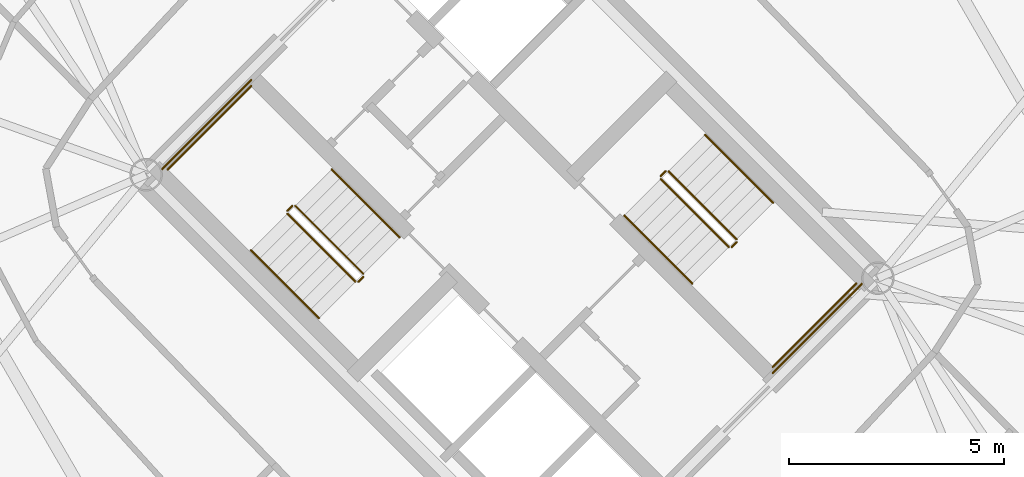
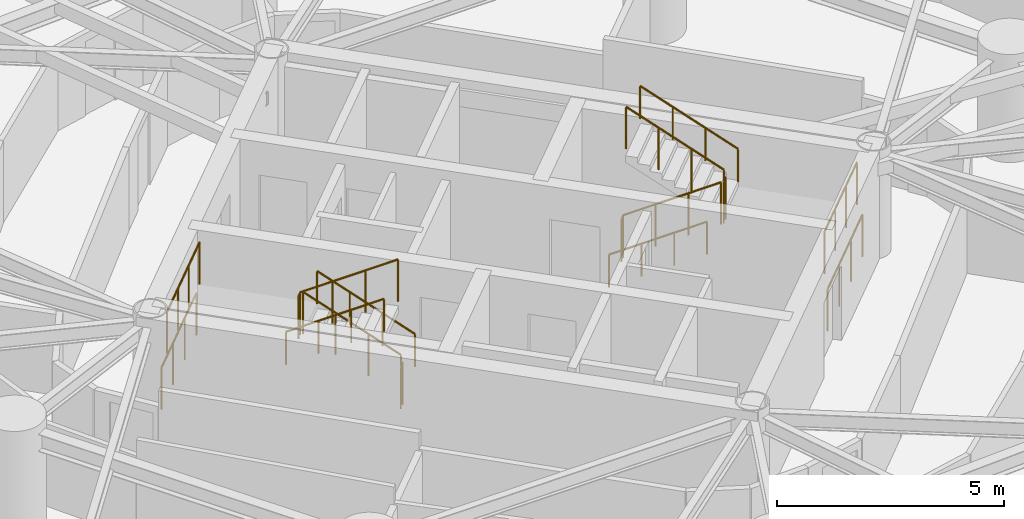
# One storey, part 17 of 18: 16 railings.
"""IFC4 building model written with IfcOpenShell, lengths in metres."""

from ifc_helpers import new_model, si_unit, direction, frame, origin, origin_2d, place, context, subcontext, project, spatial, circle, extrude, material, type_object, element, save


model = new_model("IFC4")

# Units and contexts
model_context = context("Model", 3, precision=1e-05, world=origin(), true_north=direction((0.0, 1.0)))
body_context = subcontext(model_context, "Body", "Model", "MODEL_VIEW")
ifc_project = project(units=[si_unit("LENGTHUNIT", "METRE"), si_unit("AREAUNIT", "SQUARE_METRE"), si_unit("VOLUMEUNIT", "CUBIC_METRE"), si_unit("PLANEANGLEUNIT", "RADIAN"), si_unit("MASSUNIT", "GRAM", prefix="KILO")], contexts=[model_context])

# Site, building, storey
site_placement = place(None, origin())
site = spatial("IfcSite", under=ifc_project, at=site_placement, CompositionType="ELEMENT")
building_placement = place(site_placement, origin())
building = spatial("IfcBuilding", under=site, at=building_placement, Name="Cununo Teusaquillo Station Towers", CompositionType="ELEMENT")
storey_placement = place(building_placement, frame((0.0, 0.0, 93.429931640625)))
storey = spatial("IfcBuildingStorey", under=building, at=storey_placement, Name="L29", CompositionType="ELEMENT", Elevation=93.429931640625)

# Railings
ifc_material_1 = material(Name="Steel EN 10025-2 S355J2", Category="steel")
railing_type_1 = type_object("IfcRailingType", Name="RL-INT-GUARD", PredefinedType="GUARDRAIL", material=ifc_material_1)
railing_1_placement = place(storey_placement, frame((54.03515625, 23.39697265625, 0.16162109375)))
element("IfcRailing", 1, at=railing_1_placement, inside=storey, type_object=railing_type_1, Name="L29 ST-T2-1 stair guard 1", PredefinedType="GUARDRAIL", context=body_context, shape_type="SweptSolid", body=[
    extrude(circle(Radius=0.02392578125, at=origin_2d()), frame((0.0, 0.0, 1.1259765625), z_axis=(-0.612332353853, 0.612332353853, 0.500098167213), x_axis=(-0.707106781187, -0.707106781187, 0.0)), (0.0, 0.0, 1.0), 2.58642578125),
    extrude(circle(Radius=0.02099609375, at=origin_2d()), origin(), (0.0, 0.0, 1.0), 1.101806640625),
    extrude(circle(Radius=0.02099609375, at=origin_2d()), frame((-0.52783203125, 0.52783203125, 0.43115234375)), (0.0, 0.0, 1.0), 1.101806640625),
    extrude(circle(Radius=0.02099609375, at=origin_2d()), frame((-1.055908203125, 1.055908203125, 0.8623046875)), (0.0, 0.0, 1.0), 1.101806640625),
    extrude(circle(Radius=0.02099609375, at=origin_2d()), frame((-1.583740234375, 1.583740234375, 1.29345703125)), (0.0, 0.0, 1.0), 1.101806640625),
])
railing_2_placement = place(storey_placement, frame((52.380615234375, 24.980712890625, 1.455078125)))
element("IfcRailing", 2, at=railing_2_placement, inside=storey, type_object=railing_type_1, Name="L29 ST-T2-1 stair guard 2", PredefinedType="GUARDRAIL", context=body_context, shape_type="SweptSolid", body=[
    extrude(circle(Radius=0.02392578125, at=origin_2d()), frame((0.0, 0.0, 1.1259765625), z_axis=(-0.7078691598, -0.706343579714, 0.0), x_axis=(0.706343579714, -0.7078691598, 0.0)), (0.0, 0.0, 1.0), 0.159912109375),
    extrude(circle(Radius=0.02099609375, at=origin_2d()), origin(), (0.0, 0.0, 1.0), 1.101806640625),
    extrude(circle(Radius=0.02099609375, at=origin_2d()), frame((-0.11328125, -0.113037109375, 0.0)), (0.0, 0.0, 1.0), 1.101806640625),
])
railing_3_placement = place(storey_placement, frame((51.426025390625, 27.77392578125, 1.455078125)))
element("IfcRailing", 3, at=railing_3_placement, inside=storey, type_object=railing_type_1, Name="L29 ST-T2-1 stair guard 3", PredefinedType="GUARDRAIL", context=body_context, shape_type="SweptSolid", body=[
    extrude(circle(Radius=0.02392578125, at=origin_2d()), frame((0.0, 0.0, 1.1259765625), z_axis=(-0.707106781187, -0.707106781187, 0.0), x_axis=(0.707106781187, -0.707106781187, 0.0)), (0.0, 0.0, 1.0), 2.760009765625),
    extrude(circle(Radius=0.02099609375, at=origin_2d()), origin(), (0.0, 0.0, 1.0), 1.101806640625),
    extrude(circle(Radius=0.02099609375, at=origin_2d()), frame((-0.650634765625, -0.650634765625, 0.0)), (0.0, 0.0, 1.0), 1.101806640625),
    extrude(circle(Radius=0.02099609375, at=origin_2d()), frame((-1.301025390625, -1.301025390625, 0.0)), (0.0, 0.0, 1.0), 1.101806640625),
    extrude(circle(Radius=0.02099609375, at=origin_2d()), frame((-1.95166015625, -1.95166015625, 0.0)), (0.0, 0.0, 1.0), 1.101806640625),
])
railing_4_placement = place(storey_placement, frame((52.267333984375, 24.796875, 1.61669921875)))
element("IfcRailing", 4, at=railing_4_placement, inside=storey, type_object=railing_type_1, Name="L29 ST-T2-1 stair guard 4", PredefinedType="GUARDRAIL", context=body_context, shape_type="SweptSolid", body=[
    extrude(circle(Radius=0.02392578125, at=origin_2d()), frame((0.0, 0.0, 1.1259765625), z_axis=(0.612391349474, -0.612296961165, 0.500069261639), x_axis=(0.707052281454, 0.707161276719, 0.0)), (0.0, 0.0, 1.0), 2.586669921875),
    extrude(circle(Radius=0.02099609375, at=origin_2d()), origin(), (0.0, 0.0, 1.0), 1.101806640625),
    extrude(circle(Radius=0.02099609375, at=origin_2d()), frame((0.528076171875, -0.52783203125, 0.43115234375)), (0.0, 0.0, 1.0), 1.101806640625),
    extrude(circle(Radius=0.02099609375, at=origin_2d()), frame((1.055908203125, -1.055908203125, 0.8623046875)), (0.0, 0.0, 1.0), 1.101806640625),
    extrude(circle(Radius=0.02099609375, at=origin_2d()), frame((1.583984375, -1.583740234375, 1.29345703125)), (0.0, 0.0, 1.0), 1.101806640625),
])
railing_5_placement = place(storey_placement, frame((54.03515625, 23.326171875, 0.0)))
element("IfcRailing", 5, at=railing_5_placement, inside=storey, type_object=railing_type_1, Name="L29 ST-T2-1 stair guard 5", PredefinedType="GUARDRAIL", context=body_context, shape_type="SweptSolid", body=[
    extrude(circle(Radius=0.02392578125, at=origin_2d()), frame((0.0, 0.0, 1.1259765625), z_axis=(-0.707106781187, -0.707106781187, 0.0), x_axis=(0.707106781187, -0.707106781187, 0.0)), (0.0, 0.0, 1.0), 0.159912109375),
    extrude(circle(Radius=0.02099609375, at=origin_2d()), origin(), (0.0, 0.0, 1.0), 1.101806640625),
    extrude(circle(Radius=0.02099609375, at=origin_2d()), frame((-0.113037109375, -0.113037109375, 0.0)), (0.0, 0.0, 1.0), 1.101806640625),
])
railing_6_placement = place(storey_placement, frame((51.426025390625, 27.915283203125, 0.0)))
element("IfcRailing", 6, at=railing_6_placement, inside=storey, type_object=railing_type_1, Name="L29 ST-T2-1 stair guard 6", PredefinedType="GUARDRAIL", context=body_context, shape_type="SweptSolid", body=[
    extrude(circle(Radius=0.02392578125, at=origin_2d()), frame((0.0, 0.0, 1.1259765625), z_axis=(-0.707106781187, -0.707106781187, 0.0), x_axis=(0.707106781187, -0.707106781187, 0.0)), (0.0, 0.0, 1.0), 2.9599609375),
    extrude(circle(Radius=0.02099609375, at=origin_2d()), origin(), (0.0, 0.0, 1.0), 1.101806640625),
    extrude(circle(Radius=0.02099609375, at=origin_2d()), frame((-0.69775390625, -0.69775390625, 0.0)), (0.0, 0.0, 1.0), 1.101806640625),
    extrude(circle(Radius=0.02099609375, at=origin_2d()), frame((-1.395263671875, -1.395263671875, 0.0)), (0.0, 0.0, 1.0), 1.101806640625),
    extrude(circle(Radius=0.02099609375, at=origin_2d()), frame((-2.093017578125, -2.093017578125, 0.0)), (0.0, 0.0, 1.0), 1.101806640625),
])
railing_7_placement = place(storey_placement, frame((60.96484375, 25.60302734375, 0.16162109375)))
element("IfcRailing", 7, at=railing_7_placement, inside=storey, type_object=railing_type_1, Name="L29 ST-T2-2 stair guard 1", PredefinedType="GUARDRAIL", context=body_context, shape_type="SweptSolid", body=[
    extrude(circle(Radius=0.02392578125, at=origin_2d()), frame((0.0, 0.0, 1.1259765625), z_axis=(0.612332353853, -0.612332353853, 0.500098167213), x_axis=(0.707106781187, 0.707106781187, 0.0)), (0.0, 0.0, 1.0), 2.58642578125),
    extrude(circle(Radius=0.02099609375, at=origin_2d()), origin(), (0.0, 0.0, 1.0), 1.101806640625),
    extrude(circle(Radius=0.02099609375, at=origin_2d()), frame((0.52783203125, -0.52783203125, 0.43115234375)), (0.0, 0.0, 1.0), 1.101806640625),
    extrude(circle(Radius=0.02099609375, at=origin_2d()), frame((1.055908203125, -1.055908203125, 0.8623046875)), (0.0, 0.0, 1.0), 1.101806640625),
    extrude(circle(Radius=0.02099609375, at=origin_2d()), frame((1.583740234375, -1.583740234375, 1.29345703125)), (0.0, 0.0, 1.0), 1.101806640625),
])
railing_8_placement = place(storey_placement, frame((62.619384765625, 24.019287109375, 1.455078125)))
element("IfcRailing", 8, at=railing_8_placement, inside=storey, type_object=railing_type_1, Name="L29 ST-T2-2 stair guard 2", PredefinedType="GUARDRAIL", context=body_context, shape_type="SweptSolid", body=[
    extrude(circle(Radius=0.02392578125, at=origin_2d()), frame((0.0, 0.0, 1.1259765625), z_axis=(0.7078691598, 0.706343579714, 0.0), x_axis=(-0.706343579714, 0.7078691598, 0.0)), (0.0, 0.0, 1.0), 0.159912109375),
    extrude(circle(Radius=0.02099609375, at=origin_2d()), origin(), (0.0, 0.0, 1.0), 1.101806640625),
    extrude(circle(Radius=0.02099609375, at=origin_2d()), frame((0.11328125, 0.113037109375, 0.0)), (0.0, 0.0, 1.0), 1.101806640625),
])
railing_9_placement = place(storey_placement, frame((63.573974609375, 21.22607421875, 1.455078125)))
element("IfcRailing", 9, at=railing_9_placement, inside=storey, type_object=railing_type_1, Name="L29 ST-T2-2 stair guard 3", PredefinedType="GUARDRAIL", context=body_context, shape_type="SweptSolid", body=[
    extrude(circle(Radius=0.02392578125, at=origin_2d()), frame((0.0, 0.0, 1.1259765625), z_axis=(0.707106781187, 0.707106781187, 0.0), x_axis=(-0.707106781187, 0.707106781187, 0.0)), (0.0, 0.0, 1.0), 2.760009765625),
    extrude(circle(Radius=0.02099609375, at=origin_2d()), origin(), (0.0, 0.0, 1.0), 1.101806640625),
    extrude(circle(Radius=0.02099609375, at=origin_2d()), frame((0.650634765625, 0.650634765625, 0.0)), (0.0, 0.0, 1.0), 1.101806640625),
    extrude(circle(Radius=0.02099609375, at=origin_2d()), frame((1.301025390625, 1.301025390625, 0.0)), (0.0, 0.0, 1.0), 1.101806640625),
    extrude(circle(Radius=0.02099609375, at=origin_2d()), frame((1.95166015625, 1.95166015625, 0.0)), (0.0, 0.0, 1.0), 1.101806640625),
])
railing_10_placement = place(storey_placement, frame((62.732666015625, 24.203125, 1.61669921875)))
element("IfcRailing", 10, at=railing_10_placement, inside=storey, type_object=railing_type_1, Name="L29 ST-T2-2 stair guard 4", PredefinedType="GUARDRAIL", context=body_context, shape_type="SweptSolid", body=[
    extrude(circle(Radius=0.02392578125, at=origin_2d()), frame((0.0, 0.0, 1.1259765625), z_axis=(-0.612391349474, 0.612296961165, 0.500069261639), x_axis=(-0.707052281454, -0.707161276719, 0.0)), (0.0, 0.0, 1.0), 2.586669921875),
    extrude(circle(Radius=0.02099609375, at=origin_2d()), origin(), (0.0, 0.0, 1.0), 1.101806640625),
    extrude(circle(Radius=0.02099609375, at=origin_2d()), frame((-0.528076171875, 0.52783203125, 0.43115234375)), (0.0, 0.0, 1.0), 1.101806640625),
    extrude(circle(Radius=0.02099609375, at=origin_2d()), frame((-1.055908203125, 1.055908203125, 0.8623046875)), (0.0, 0.0, 1.0), 1.101806640625),
    extrude(circle(Radius=0.02099609375, at=origin_2d()), frame((-1.583984375, 1.583740234375, 1.29345703125)), (0.0, 0.0, 1.0), 1.101806640625),
])
railing_11_placement = place(storey_placement, frame((60.96484375, 25.673828125, 0.0)))
element("IfcRailing", 11, at=railing_11_placement, inside=storey, type_object=railing_type_1, Name="L29 ST-T2-2 stair guard 5", PredefinedType="GUARDRAIL", context=body_context, shape_type="SweptSolid", body=[
    extrude(circle(Radius=0.02392578125, at=origin_2d()), frame((0.0, 0.0, 1.1259765625), z_axis=(0.707106781187, 0.707106781187, 0.0), x_axis=(-0.707106781187, 0.707106781187, 0.0)), (0.0, 0.0, 1.0), 0.159912109375),
    extrude(circle(Radius=0.02099609375, at=origin_2d()), origin(), (0.0, 0.0, 1.0), 1.101806640625),
    extrude(circle(Radius=0.02099609375, at=origin_2d()), frame((0.113037109375, 0.113037109375, 0.0)), (0.0, 0.0, 1.0), 1.101806640625),
])
railing_12_placement = place(storey_placement, frame((63.573974609375, 21.084716796875, 0.0)))
element("IfcRailing", 12, at=railing_12_placement, inside=storey, type_object=railing_type_1, Name="L29 ST-T2-2 stair guard 6", PredefinedType="GUARDRAIL", context=body_context, shape_type="SweptSolid", body=[
    extrude(circle(Radius=0.02392578125, at=origin_2d()), frame((0.0, 0.0, 1.1259765625), z_axis=(0.707106781187, 0.707106781187, 0.0), x_axis=(-0.707106781187, 0.707106781187, 0.0)), (0.0, 0.0, 1.0), 2.9599609375),
    extrude(circle(Radius=0.02099609375, at=origin_2d()), origin(), (0.0, 0.0, 1.0), 1.101806640625),
    extrude(circle(Radius=0.02099609375, at=origin_2d()), frame((0.69775390625, 0.69775390625, 0.0)), (0.0, 0.0, 1.0), 1.101806640625),
    extrude(circle(Radius=0.02099609375, at=origin_2d()), frame((1.395263671875, 1.395263671875, 0.0)), (0.0, 0.0, 1.0), 1.101806640625),
    extrude(circle(Radius=0.02099609375, at=origin_2d()), frame((2.093017578125, 2.093017578125, 0.0)), (0.0, 0.0, 1.0), 1.101806640625),
])
ifc_material_2 = material(Name="Steel EN 10025-2 S355J2", Category="steel")
railing_type_2 = type_object("IfcRailingType", Name="RL-INT-HRAIL", PredefinedType="HANDRAIL", material=ifc_material_2)
railing_13_placement = place(storey_placement, frame((54.8837890625, 24.245361328125, 0.16162109375)))
element("IfcRailing", 13, at=railing_13_placement, inside=storey, type_object=railing_type_2, Name="L29 ST-T2-1 stair handrail 1", PredefinedType="HANDRAIL", context=body_context, shape_type="SweptSolid", body=[
    extrude(circle(Radius=0.02392578125, at=origin_2d()), frame((0.0, 0.0, 0.8759765625), z_axis=(-0.612355957468, 0.612355957468, 0.500040361077), x_axis=(-0.707106781187, -0.707106781187, 0.0)), (0.0, 0.0, 1.0), 2.586669921875),
    extrude(circle(Radius=0.02099609375, at=origin_2d()), origin(), (0.0, 0.0, 1.0), 0.851806640625),
    extrude(circle(Radius=0.02099609375, at=origin_2d()), frame((-0.528076171875, 0.528076171875, 0.43115234375)), (0.0, 0.0, 1.0), 0.851806640625),
    extrude(circle(Radius=0.02099609375, at=origin_2d()), frame((-1.055908203125, 1.055908203125, 0.8623046875)), (0.0, 0.0, 1.0), 0.851806640625),
    extrude(circle(Radius=0.02099609375, at=origin_2d()), frame((-1.583984375, 1.583984375, 1.29345703125)), (0.0, 0.0, 1.0), 0.851806640625),
])
for number, where, name in (
    (14, (51.4189453125, 23.948486328125, 1.61669921875), "L29 ST-T2-1 stair handrail 2"),
    (15, (60.1162109375, 24.754638671875, 0.16162109375), "L29 ST-T2-2 stair handrail 1"),
):
    element("IfcRailing", number, at=place(storey_placement, frame(where)), inside=storey, type_object=railing_type_2, Name=name, PredefinedType="HANDRAIL", context=body_context, shape_type="SweptSolid", body=[
        extrude(circle(Radius=0.02392578125, at=origin_2d()), frame((0.0, 0.0, 0.8759765625), z_axis=(0.612355957468, -0.612355957468, 0.500040361077), x_axis=(0.707106781187, 0.707106781187, 0.0)), (0.0, 0.0, 1.0), 2.586669921875),
        extrude(circle(Radius=0.02099609375, at=origin_2d()), origin(), (0.0, 0.0, 1.0), 0.851806640625),
        extrude(circle(Radius=0.02099609375, at=origin_2d()), frame((0.528076171875, -0.528076171875, 0.43115234375)), (0.0, 0.0, 1.0), 0.851806640625),
        extrude(circle(Radius=0.02099609375, at=origin_2d()), frame((1.055908203125, -1.055908203125, 0.8623046875)), (0.0, 0.0, 1.0), 0.851806640625),
        extrude(circle(Radius=0.02099609375, at=origin_2d()), frame((1.583984375, -1.583984375, 1.29345703125)), (0.0, 0.0, 1.0), 0.851806640625),
    ])
railing_14_placement = place(storey_placement, frame((63.5810546875, 25.051513671875, 1.61669921875)))
element("IfcRailing", 16, at=railing_14_placement, inside=storey, type_object=railing_type_2, Name="L29 ST-T2-2 stair handrail 2", PredefinedType="HANDRAIL", context=body_context, shape_type="SweptSolid", body=[
    extrude(circle(Radius=0.02392578125, at=origin_2d()), frame((0.0, 0.0, 0.8759765625), z_axis=(-0.612355957468, 0.612355957468, 0.500040361077), x_axis=(-0.707106781187, -0.707106781187, 0.0)), (0.0, 0.0, 1.0), 2.586669921875),
    extrude(circle(Radius=0.02099609375, at=origin_2d()), origin(), (0.0, 0.0, 1.0), 0.851806640625),
    extrude(circle(Radius=0.02099609375, at=origin_2d()), frame((-0.528076171875, 0.528076171875, 0.43115234375)), (0.0, 0.0, 1.0), 0.851806640625),
    extrude(circle(Radius=0.02099609375, at=origin_2d()), frame((-1.055908203125, 1.055908203125, 0.8623046875)), (0.0, 0.0, 1.0), 0.851806640625),
    extrude(circle(Radius=0.02099609375, at=origin_2d()), frame((-1.583984375, 1.583984375, 1.29345703125)), (0.0, 0.0, 1.0), 0.851806640625),
])

save(model, "model.ifc")
